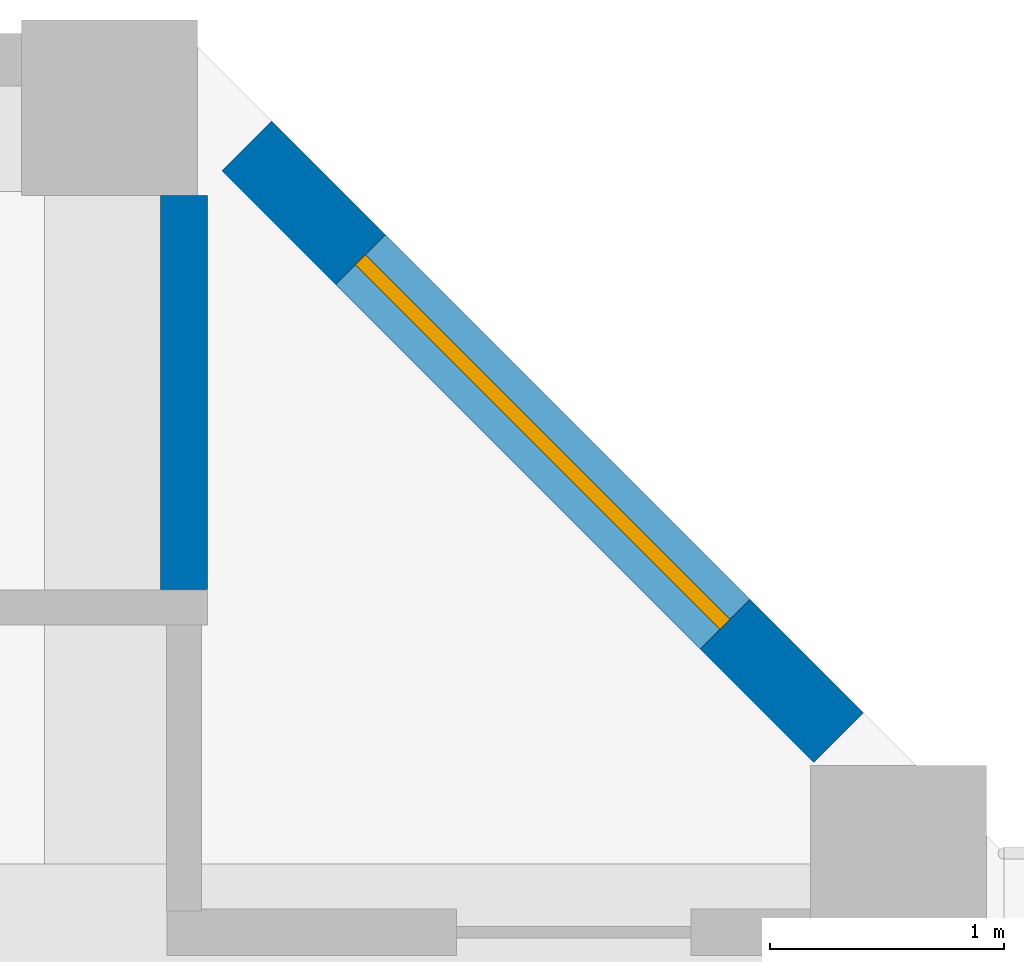
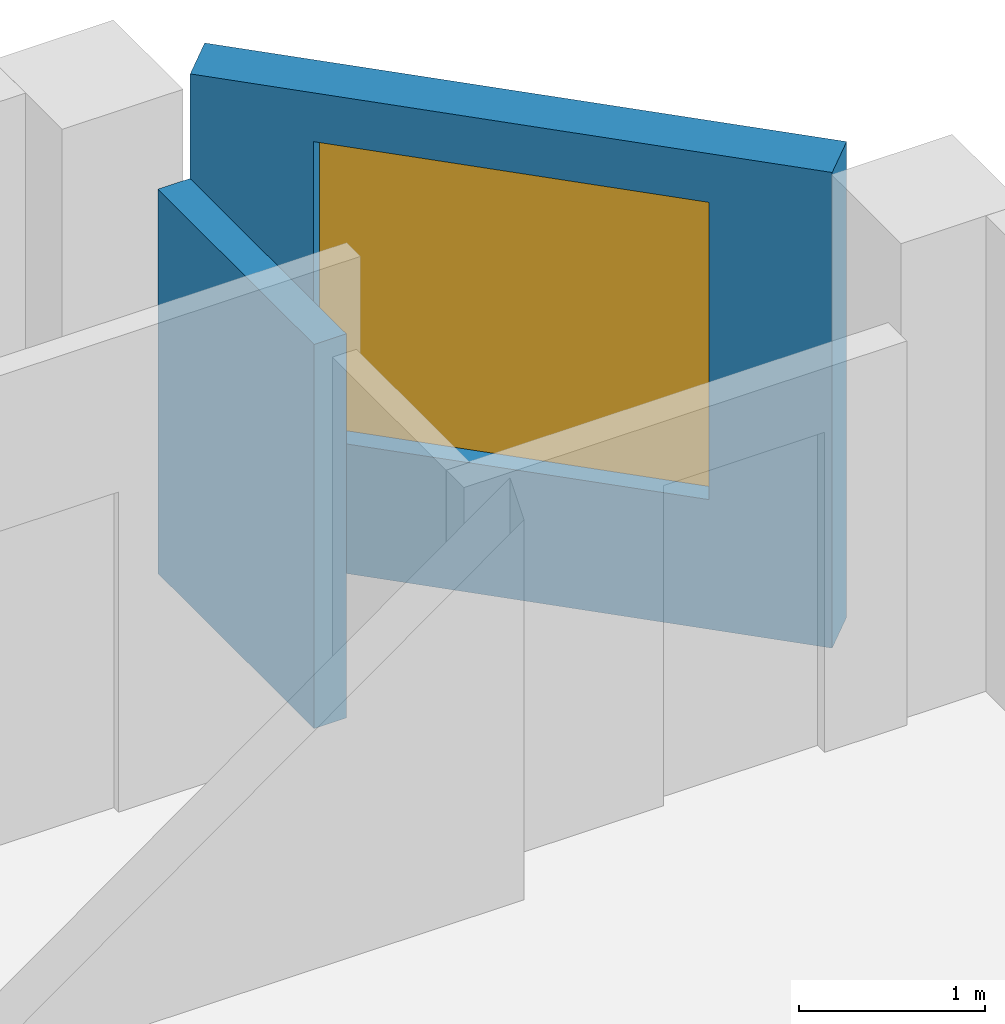
# One storey, part 11 of 22: 2 walls, 1 window, 1 opening.
"""IFC4 building model written with IfcOpenShell, lengths in metres."""

from ifc_helpers import new_model, si_unit, direction, frame, frame_2d, origin, place, context, subcontext, project, spatial, rectangle, extrude, source, transform, mapped, material, layer, layer_set, type_object, element, fill, save


model = new_model("IFC4")

# Units and contexts
model_context = context("Model", 3, precision=1e-05, world=origin(), true_north=direction((0.0, 1.0)))
body_context = subcontext(model_context, "Body", "Model", "MODEL_VIEW")
ifc_project = project(units=[si_unit("LENGTHUNIT", "METRE"), si_unit("AREAUNIT", "SQUARE_METRE"), si_unit("VOLUMEUNIT", "CUBIC_METRE"), si_unit("PLANEANGLEUNIT", "RADIAN"), si_unit("MASSUNIT", "GRAM", prefix="KILO")], contexts=[model_context])

# Site, building, storey
site_placement = place(None, origin())
site = spatial("IfcSite", under=ifc_project, at=site_placement, CompositionType="ELEMENT")
building_placement = place(site_placement, origin())
building = spatial("IfcBuilding", under=site, at=building_placement, Name="Kilnfold Tower and Market Hall", CompositionType="ELEMENT")
storey_placement = place(building_placement, frame((0.0, 0.0, 206.699951171875)))
storey = spatial("IfcBuildingStorey", under=building, at=storey_placement, Name="L50", CompositionType="ELEMENT", Elevation=206.699951171875)

# Wall
ifc_material_1 = material(Name="Gypsum board on steel studs", Category="steel")
ifc_layer_1 = layer(ifc_material_1, 0.199951171875)
ifc_layer_set_1 = layer_set([ifc_layer_1], Name="Gypsum board on steel studs")
wall_type_1 = type_object("IfcWallType", Name="WALL PARTY 200", PredefinedType="PARTITIONING", material=ifc_layer_set_1)
wall_1_placement = place(storey_placement, frame((27.75, 25.556884765625, 0.0), z_axis=(0.0, 0.0, 1.0), x_axis=(0.0, -1.0, 0.0)))
element("IfcWall", 1, at=wall_1_placement, inside=storey, type_object=wall_type_1, Name="Partition LY30.96", PredefinedType="PARTITIONING", context=body_context, shape_type="SweptSolid", body=[
    extrude(rectangle(XDim=1.679931640625, YDim=0.199951171875, at=frame_2d((0.83984375, 0.0))), origin(), (0.0, 0.0, 1.0), 2.52001953125),
])

# Wall, opening, window
ifc_material_2 = material(Name="Precast concrete C50/60", Category="concrete")
ifc_layer_2 = layer(ifc_material_2, 0.300048828125)
ifc_layer_set_2 = layer_set([ifc_layer_2], Name="Precast concrete C50/60")
wall_type_2 = type_object("IfcWallType", Name="PRECAST WALL 300", PredefinedType="SOLIDWALL", material=ifc_layer_set_2)
shared_shape = source(origin(), body_context, "Body", "SweptSolid", [
    extrude(rectangle(XDim=3.571044921875, YDim=0.300048828125, at=frame_2d((1.78564453125, 0.0))), origin(), (0.0, 0.0, 1.0), 3.1201171875),
])
wall_2_placement = place(storey_placement, frame((30.5439453125, 23.243896484375, 0.0), z_axis=(0.0, 0.0, 1.0), x_axis=(-0.707140964879, 0.707072595841, 0.0)))
wall_2 = element("IfcWall", 2, at=wall_2_placement, inside=storey, type_object=wall_type_2, Name="External wall L50 NE", PredefinedType="SOLIDWALL", context=body_context, shape_type="MappedRepresentation", body=[
    mapped(shared_shape, transform((0.0, 0.0, 0.0))),
])
opening_placement = place(wall_2_placement, frame((0.685546875, 0.0, 0.85009765625)))
opening = element("IfcOpeningElement", 3, at=opening_placement, cuts=wall_2, Name="Opening W2", PredefinedType="OPENING", context=body_context, shape_type="SweptSolid", body=[
    extrude(rectangle(XDim=2.199951171875, YDim=1.949951171875, at=frame_2d((1.10009765625, 0.97509765625))), frame((0.0, 0.16015625, 0.0), z_axis=(0.0, -1.0, 0.0), x_axis=(1.0, 0.0, 0.0)), (0.0, 0.0, 1.0), 0.320068359375),
])
ifc_material_3 = material(Name="Aluminium frame and double glazing", Category="aluminium")
window_type = type_object("IfcWindowType", Name="WINDOW W2 2200X1950", PartitioningType="SINGLE_PANEL", PredefinedType="WINDOW", material=ifc_material_3)
window_placement = place(opening_placement, origin())
window = element("IfcWindow", 4, at=window_placement, inside=storey, type_object=window_type, Name="Window W2 L50 NE-1", OverallHeight=1.949951171875, OverallWidth=2.199951171875, PartitioningType="SINGLE_PANEL", PredefinedType="WINDOW", context=body_context, shape_type="SweptSolid", body=[
    extrude(rectangle(XDim=2.199951171875, YDim=1.949951171875, at=frame_2d((1.10009765625, 0.97509765625))), frame((0.0, 0.030029296875, 0.0), z_axis=(0.0, -1.0, 0.0), x_axis=(1.0, 0.0, 0.0)), (0.0, 0.0, 1.0), 0.06005859375),
])
fill(opening, window)

save(model, "model.ifc")
